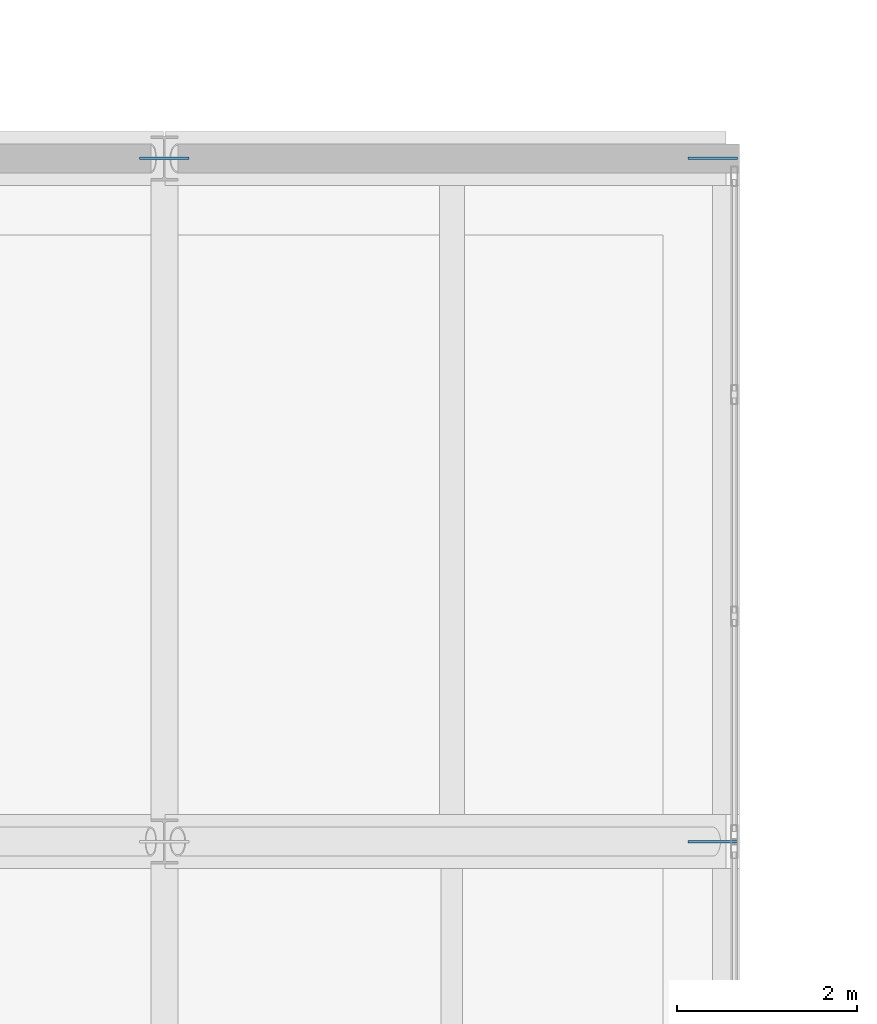
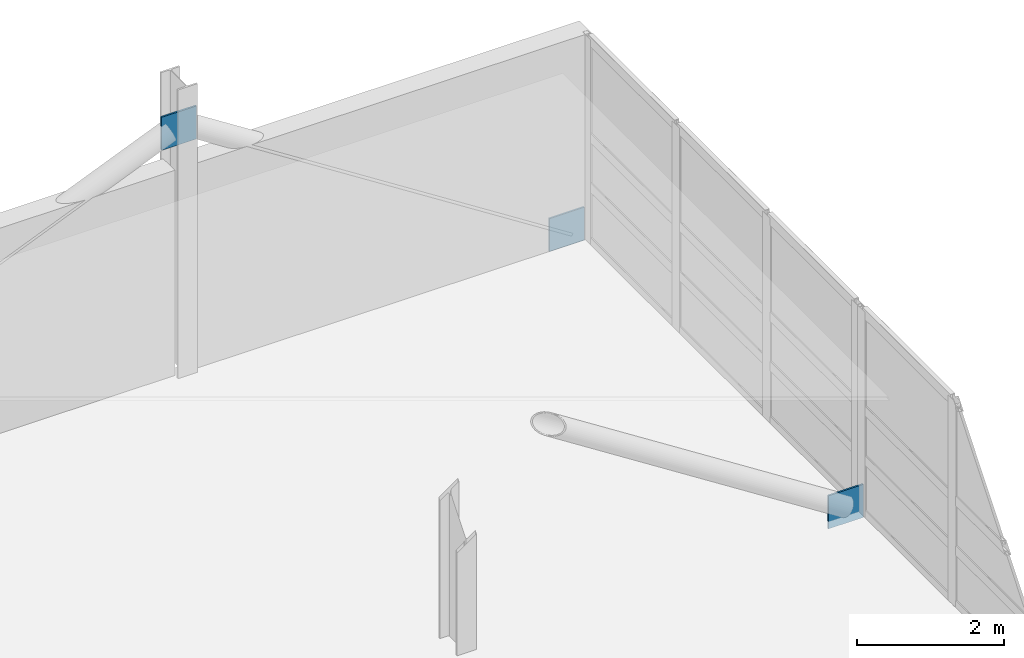
# One storey, part 86 of 141: 3 plates.
"""IFC4 building model written with IfcOpenShell, lengths in metres."""

from ifc_helpers import new_model, si_unit, direction, frame, origin, origin_2d, place, context, subcontext, project, spatial, rectangle, extrude, material, layer, layer_set, type_object, element, save


model = new_model("IFC4")

# Units and contexts
model_context = context("Model", 3, precision=1e-05, world=origin(), true_north=direction((0.0, 1.0)))
body_context = subcontext(model_context, "Body", "Model", "MODEL_VIEW")
ifc_project = project(units=[si_unit("LENGTHUNIT", "METRE"), si_unit("AREAUNIT", "SQUARE_METRE"), si_unit("VOLUMEUNIT", "CUBIC_METRE"), si_unit("PLANEANGLEUNIT", "RADIAN"), si_unit("MASSUNIT", "GRAM", prefix="KILO")], contexts=[model_context])

# Site, building, storey
site_placement = place(None, origin())
site = spatial("IfcSite", under=ifc_project, at=site_placement, CompositionType="ELEMENT")
building_placement = place(site_placement, origin())
building = spatial("IfcBuilding", under=site, at=building_placement, Name="Khelvaren Railside Concert Hall", CompositionType="ELEMENT")
storey_placement = place(building_placement, frame((0.0, 0.0, 10.199951171875)))
storey = spatial("IfcBuildingStorey", under=building, at=storey_placement, Name="L02", CompositionType="ELEMENT", Elevation=10.199951171875)

# Plates
ifc_material = material(Name="Steel S355", Category="steel")
ifc_layer = layer(ifc_material, 0.028076171875)
ifc_layer_set = layer_set([ifc_layer], Name="Steel S355")
plate_type = type_object("IfcPlateType", Name="GP71", PredefinedType="USERDEFINED", material=ifc_layer_set)
for number, where, z_axis, x_axis, name in (
    (1, (55.699951171875, 38.0, -0.125), (0.0, 0.0, 1.0), (1.0, 0.0, 0.0), "Cantilever Truss End Node Assembly L02-6-TIP"),
    (2, (55.699951171875, 45.60009765625, -0.125), (0.0, 0.0, 1.0), (1.0, 0.0, 0.0), "Cantilever Truss End Node Assembly L02-7-TIP"),
    (3, (49.60009765625, 45.60009765625, 3.69482421875), (0.0, 0.0, 1.0), (1.0, 0.0, 0.0), "Cantilever Truss End Node Assembly L02-7-TOP"),
):
    element("IfcPlate", number, at=place(storey_placement, frame(where, z_axis=z_axis, x_axis=x_axis)), inside=storey, type_object=plate_type, Name=name, ObjectType="GUSSET PLATE", PredefinedType="USERDEFINED", context=body_context, shape_type="SweptSolid", body=[
        extrude(rectangle(XDim=0.550048828125, YDim=0.028076171875, at=origin_2d()), origin(), (0.0, 0.0, 1.0), 0.550048828125),
    ])

save(model, "model.ifc")
